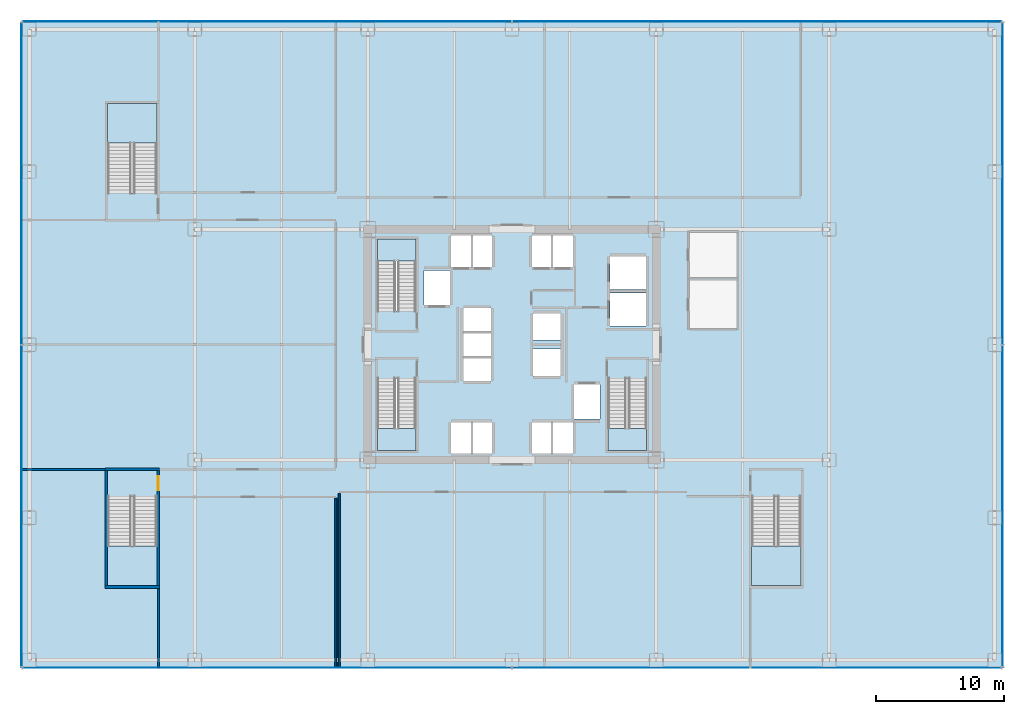
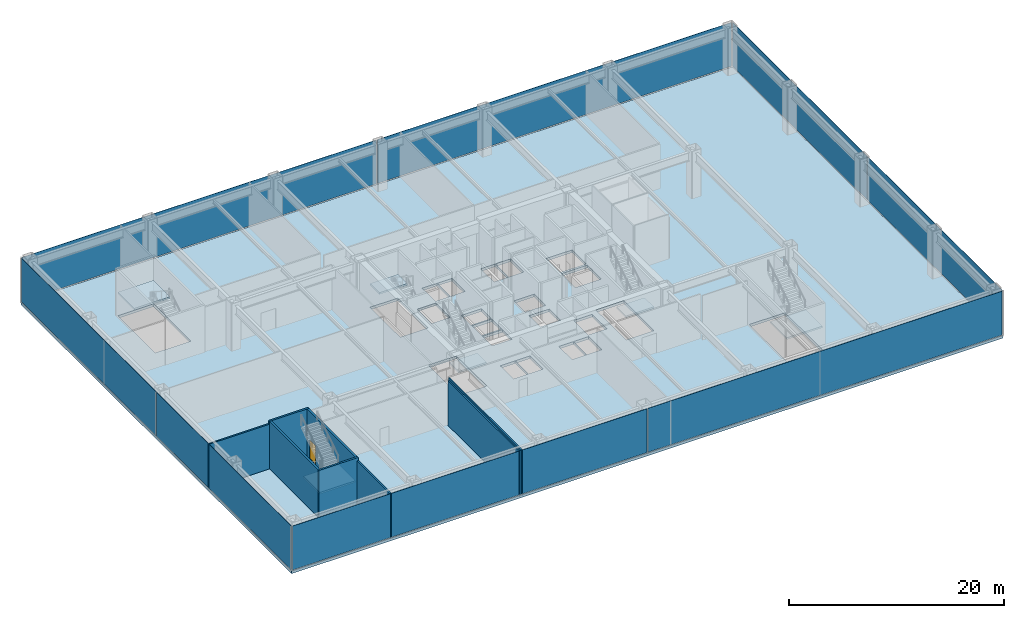
# One storey, part 16 of 24: 8 plates, 8 walls, 7 slabs, 1 door, 1 opening, 10 elements without a shape of their own.
"""IFC4 building model written with IfcOpenShell, lengths in metres."""

from ifc_helpers import new_model, si_unit, direction, frame, frame_2d, origin, origin_2d, place, context, subcontext, project, spatial, polyline, rectangle, outline, extrude, source, transform, mapped, material, layer, layer_set, type_object, element, fill, aggregate, save


model = new_model("IFC4")

# Units and contexts
model_context = context("Model", 3, precision=1e-05, world=origin(), true_north=direction((0.0, 1.0)))
body_context = subcontext(model_context, "Body", "Model", "MODEL_VIEW")
ifc_project = project(units=[si_unit("LENGTHUNIT", "METRE"), si_unit("AREAUNIT", "SQUARE_METRE"), si_unit("VOLUMEUNIT", "CUBIC_METRE"), si_unit("PLANEANGLEUNIT", "RADIAN"), si_unit("MASSUNIT", "GRAM", prefix="KILO")], contexts=[model_context])

# Site, building, storey
site_placement = place(None, origin())
site = spatial("IfcSite", under=ifc_project, at=site_placement, CompositionType="ELEMENT")
building_placement = place(site_placement, origin())
building = spatial("IfcBuilding", under=site, at=building_placement, Name="Nefas-Gora Pilgrimage Tower", CompositionType="ELEMENT")
storey_placement = place(building_placement, frame((0.0, 0.0, 16.800048828125)))
storey = spatial("IfcBuildingStorey", under=building, at=storey_placement, Name="L03", CompositionType="ELEMENT", Elevation=16.800048828125)

# Slab
ifc_material_1 = material(Name="Concrete C45/55", Category="concrete")
ifc_layer_1 = layer(ifc_material_1, 0.300048828125)
ifc_layer_set_1 = layer_set([ifc_layer_1], Name="Concrete C45/55")
slab_type_1 = type_object("IfcSlabType", Name="SLB-POD-300", PredefinedType="FLOOR", material=ifc_layer_set_1)
slab_1_placement = place(storey_placement, frame((0.0, 0.0, -0.300048828125)))
element("IfcSlab", 1, at=slab_1_placement, inside=storey, type_object=slab_type_1, Name="L03 Structural Floor Slab", PredefinedType="FLOOR", context=body_context, shape_type="SweptSolid", body=[
    extrude(outline(polyline([(38.25, -25.199951171875), (38.25, 25.199951171875), (-38.25, 25.199951171875), (-38.25, -25.199951171875), (38.25, -25.199951171875)]), holes=[polyline([(-10.5, 2.639892578125), (-10.5, 8.25), (-7.5, 8.25), (-7.5, 2.639892578125), (-10.5, 2.639892578125)]), polyline([(10.5, -2.639892578125), (10.5, -8.25), (7.5, -8.25), (7.5, -2.639892578125), (10.5, -2.639892578125)]), polyline([(-7.5, -2.639892578125), (-7.5, -8.25), (-10.5, -8.25), (-10.5, -2.639892578125), (-7.5, -2.639892578125)]), polyline([(-31.5400390625, 11.840087890625), (-31.5400390625, 18.800048828125), (-27.699951171875, 18.800048828125), (-27.699951171875, 11.840087890625), (-31.5400390625, 11.840087890625)]), polyline([(-27.699951171875, -11.840087890625), (-27.699951171875, -18.800048828125), (-31.5400390625, -18.800048828125), (-31.5400390625, -11.840087890625), (-27.699951171875, -11.840087890625)]), polyline([(22.5400390625, -11.840087890625), (22.5400390625, -18.800048828125), (18.699951171875, -18.800048828125), (18.699951171875, -11.840087890625), (22.5400390625, -11.840087890625)]), polyline([(-6.85009765625, 5.800048828125), (-4.85009765625, 5.800048828125), (-4.85009765625, 3.10009765625), (-6.85009765625, 3.10009765625), (-6.85009765625, 5.800048828125)]), polyline([(4.85009765625, -3.10009765625), (6.85009765625, -3.10009765625), (6.85009765625, -5.800048828125), (4.85009765625, -5.800048828125), (4.85009765625, -3.10009765625)]), polyline([(7.64990234375, 4.050048828125), (10.449951171875, 4.050048828125), (10.449951171875, 1.449951171875), (7.64990234375, 1.449951171875), (7.64990234375, 4.050048828125)]), polyline([(7.64990234375, 6.89990234375), (10.449951171875, 6.89990234375), (10.449951171875, 4.300048828125), (7.64990234375, 4.300048828125), (7.64990234375, 6.89990234375)]), polyline([(-4.75, 8.5), (-3.14990234375, 8.5), (-3.14990234375, 6.050048828125), (-4.75, 6.050048828125), (-4.75, 8.5)]), polyline([(-3.10009765625, 8.5), (-1.550048828125, 8.5), (-1.550048828125, 6.050048828125), (-3.10009765625, 6.050048828125), (-3.10009765625, 8.5)]), polyline([(1.550048828125, 8.5), (3.10009765625, 8.5), (3.10009765625, 6.050048828125), (1.550048828125, 6.050048828125), (1.550048828125, 8.5)]), polyline([(3.14990234375, 8.5), (4.75, 8.5), (4.75, 6.050048828125), (3.14990234375, 6.050048828125), (3.14990234375, 8.5)]), polyline([(-4.75, -6.050048828125), (-3.14990234375, -6.050048828125), (-3.14990234375, -8.5), (-4.75, -8.5), (-4.75, -6.050048828125)]), polyline([(-3.10009765625, -6.050048828125), (-1.550048828125, -6.050048828125), (-1.550048828125, -8.5), (-3.10009765625, -8.5), (-3.10009765625, -6.050048828125)]), polyline([(1.550048828125, -6.050048828125), (3.10009765625, -6.050048828125), (3.10009765625, -8.5), (1.550048828125, -8.5), (1.550048828125, -6.050048828125)]), polyline([(3.14990234375, -6.050048828125), (4.75, -6.050048828125), (4.75, -8.5), (3.14990234375, -8.5), (3.14990234375, -6.050048828125)]), polyline([(-3.800048828125, -1.050048828125), (-1.64990234375, -1.050048828125), (-1.64990234375, -2.85009765625), (-3.800048828125, -2.85009765625), (-3.800048828125, -1.050048828125)]), polyline([(-3.800048828125, 0.89990234375), (-1.64990234375, 0.89990234375), (-1.64990234375, -0.89990234375), (-3.800048828125, -0.89990234375), (-3.800048828125, 0.89990234375)]), polyline([(-3.800048828125, 2.85009765625), (-1.64990234375, 2.85009765625), (-1.64990234375, 1.050048828125), (-3.800048828125, 1.050048828125), (-3.800048828125, 2.85009765625)]), polyline([(1.64990234375, -0.35009765625), (3.800048828125, -0.35009765625), (3.800048828125, -2.449951171875), (1.64990234375, -2.449951171875), (1.64990234375, -0.35009765625)]), polyline([(1.64990234375, 2.449951171875), (3.800048828125, 2.449951171875), (3.800048828125, 0.35009765625), (1.64990234375, 0.35009765625), (1.64990234375, 2.449951171875)])]), origin(), (0.0, 0.0, 1.0), 0.300048828125),
])

# Stair, slab
stair_type_1 = type_object("IfcStairType", Name="STR-1400-R1800", PredefinedType="HALF_TURN_STAIR", material=ifc_material_1)
stair_1_placement = place(storey_placement, origin())
stair_1 = element("IfcStair", 2, at=stair_1_placement, inside=storey, type_object=stair_type_1, Name="L03 Pressurised Tower Exit Stair ST-01", PredefinedType="HALF_TURN_STAIR")
ifc_material_2 = material(Name="Concrete C40/50", Category="concrete")
ifc_layer_2 = layer(ifc_material_2, 0.199951171875)
ifc_layer_set_2 = layer_set([ifc_layer_2], Name="Concrete C40/50")
slab_type_2 = type_object("IfcSlabType", Name="STR-LAND-200", PredefinedType="LANDING", material=ifc_layer_set_2)
slab_2_placement = place(storey_placement, frame((0.0, 0.0, 2.5)))
slab_2 = element("IfcSlab", 3, at=slab_2_placement, type_object=slab_type_2, Name="ST-01 landing 1", PredefinedType="LANDING", context=body_context, shape_type="SweptSolid", body=[
    extrude(outline(polyline([(-7.5, 6.52001953125), (-7.5, 8.25), (-10.5, 8.25), (-10.5, 6.52001953125), (-7.5, 6.52001953125)])), origin(), (0.0, 0.0, 1.0), 0.199951171875),
])
aggregate(stair_1, [slab_2])

stair_2_placement = place(storey_placement, origin())
stair_2 = element("IfcStair", 4, at=stair_2_placement, inside=storey, type_object=stair_type_1, Name="L03 Pressurised Tower Exit Stair ST-02", PredefinedType="HALF_TURN_STAIR")
slab_3_placement = place(storey_placement, frame((0.0, 0.0, 2.5)))
slab_3 = element("IfcSlab", 5, at=slab_3_placement, type_object=slab_type_2, Name="ST-02 landing 1", PredefinedType="LANDING", context=body_context, shape_type="SweptSolid", body=[
    extrude(outline(polyline([(7.5, -6.52001953125), (7.5, -8.25), (10.5, -8.25), (10.5, -6.52001953125), (7.5, -6.52001953125)])), origin(), (0.0, 0.0, 1.0), 0.199951171875),
])
aggregate(stair_2, [slab_3])

stair_3_placement = place(storey_placement, origin())
stair_3 = element("IfcStair", 6, at=stair_3_placement, inside=storey, type_object=stair_type_1, Name="L03 Pressurised Tower Exit Stair ST-03", PredefinedType="HALF_TURN_STAIR")
slab_4_placement = place(storey_placement, frame((0.0, 0.0, 2.5)))
slab_4 = element("IfcSlab", 7, at=slab_4_placement, type_object=slab_type_2, Name="ST-03 landing 1", PredefinedType="LANDING", context=body_context, shape_type="SweptSolid", body=[
    extrude(outline(polyline([(-10.5, -6.52001953125), (-10.5, -8.25), (-7.5, -8.25), (-7.5, -6.52001953125), (-10.5, -6.52001953125)])), origin(), (0.0, 0.0, 1.0), 0.199951171875),
])
aggregate(stair_3, [slab_4])

stair_type_2 = type_object("IfcStairType", Name="STR-1820-R1800", PredefinedType="HALF_TURN_STAIR", material=ifc_material_1)
stair_4_placement = place(storey_placement, origin())
stair_4 = element("IfcStair", 8, at=stair_4_placement, inside=storey, type_object=stair_type_2, Name="L03 Podium Exit Stair ST-04", PredefinedType="HALF_TURN_STAIR")
slab_5_placement = place(storey_placement, frame((0.0, 0.0, 2.5)))
slab_5 = element("IfcSlab", 9, at=slab_5_placement, type_object=slab_type_2, Name="ST-04 landing 1", PredefinedType="LANDING", context=body_context, shape_type="SweptSolid", body=[
    extrude(outline(polyline([(-27.699951171875, 15.719970703125), (-27.699951171875, 18.800048828125), (-31.5400390625, 18.800048828125), (-31.5400390625, 15.719970703125), (-27.699951171875, 15.719970703125)])), origin(), (0.0, 0.0, 1.0), 0.199951171875),
])
aggregate(stair_4, [slab_5])

stair_5_placement = place(storey_placement, origin())
stair_5 = element("IfcStair", 10, at=stair_5_placement, inside=storey, type_object=stair_type_2, Name="L03 Podium Exit Stair ST-05", PredefinedType="HALF_TURN_STAIR")
slab_6_placement = place(storey_placement, frame((0.0, 0.0, 2.5)))
slab_6 = element("IfcSlab", 11, at=slab_6_placement, type_object=slab_type_2, Name="ST-05 landing 1", PredefinedType="LANDING", context=body_context, shape_type="SweptSolid", body=[
    extrude(outline(polyline([(-31.5400390625, -15.719970703125), (-31.5400390625, -18.800048828125), (-27.699951171875, -18.800048828125), (-27.699951171875, -15.719970703125), (-31.5400390625, -15.719970703125)])), origin(), (0.0, 0.0, 1.0), 0.199951171875),
])
aggregate(stair_5, [slab_6])

stair_6_placement = place(storey_placement, origin())
stair_6 = element("IfcStair", 12, at=stair_6_placement, inside=storey, type_object=stair_type_2, Name="L03 Podium Exit Stair ST-06", PredefinedType="HALF_TURN_STAIR")
slab_7_placement = place(storey_placement, frame((0.0, 0.0, 2.5)))
slab_7 = element("IfcSlab", 13, at=slab_7_placement, type_object=slab_type_2, Name="ST-06 landing 1", PredefinedType="LANDING", context=body_context, shape_type="SweptSolid", body=[
    extrude(outline(polyline([(18.699951171875, -15.719970703125), (18.699951171875, -18.800048828125), (22.5400390625, -18.800048828125), (22.5400390625, -15.719970703125), (18.699951171875, -15.719970703125)])), origin(), (0.0, 0.0, 1.0), 0.199951171875),
])
aggregate(stair_6, [slab_7])

# Curtain wall, plates
ifc_material_3 = material(Name="Dark ceramic-fritted solar-control aluminium-glass curtain wall", Category="aluminium")
ifc_layer_3 = layer(ifc_material_3, 0.219970703125)
ifc_layer_set_3 = layer_set([ifc_layer_3], Name="Dark ceramic-fritted solar-control aluminium-glass curtain wall")
curtain_wall_type = type_object("IfcCurtainWallType", Name="CW-SYS-1", PredefinedType="NOTDEFINED", material=ifc_layer_set_3)
curtain_wall_1_placement = place(storey_placement, origin())
curtain_wall_1 = element("IfcCurtainWall", 14, at=curtain_wall_1_placement, inside=storey, type_object=curtain_wall_type, Name="L03 Unitised Curtain Wall CW1", PredefinedType="NOTDEFINED")
ifc_material_4 = material(Name="Dark ceramic-printed low-e insulated glass", Category="glass")
ifc_layer_4 = layer(ifc_material_4, 0.035888671875)
ifc_layer_set_4 = layer_set([ifc_layer_4], Name="Dark ceramic-printed low-e insulated glass")
plate_type = type_object("IfcPlateType", Name="CWP-PNL-1", PredefinedType="CURTAIN_PANEL", material=ifc_layer_set_4)
shared_shape_1 = source(origin(), body_context, "Body", "SweptSolid", [
    extrude(rectangle(XDim=25.06494140625, YDim=0.035888671875, at=origin_2d()), origin(), (0.0, 0.0, 1.0), 4.989990234375),
])
plate_1_placement = place(storey_placement, frame((38.25, -12.577392578125, 0.10009765625), z_axis=(0.0, 0.0, 1.0), x_axis=(0.0, 1.0, 0.0)))
plate_1 = element("IfcPlate", 15, at=plate_1_placement, type_object=plate_type, Name="CW1 Ceramic-Fritted Glazing Panel 1", PredefinedType="CURTAIN_PANEL", context=body_context, shape_type="MappedRepresentation", body=[
    mapped(shared_shape_1, transform((0.0, 0.0, 0.0), x_axis=(1.0, 0.0, 0.0), y_axis=(0.0, 1.0, 0.0), z_axis=(0.0, 0.0, 1.0), scale=1.0)),
])
plate_2_placement = place(storey_placement, frame((38.25, 12.577392578125, 0.10009765625), z_axis=(0.0, 0.0, 1.0), x_axis=(0.0, 1.0, 0.0)))
plate_2 = element("IfcPlate", 16, at=plate_2_placement, type_object=plate_type, Name="CW1 Ceramic-Fritted Glazing Panel 2", PredefinedType="CURTAIN_PANEL", context=body_context, shape_type="MappedRepresentation", body=[
    mapped(shared_shape_1, transform((0.0, 0.0, 0.0), x_axis=(1.0, 0.0, 0.0), y_axis=(0.0, 1.0, 0.0), z_axis=(0.0, 0.0, 1.0), scale=1.0)),
])
aggregate(curtain_wall_1, [plate_1, plate_2])

curtain_wall_2_placement = place(storey_placement, origin())
curtain_wall_2 = element("IfcCurtainWall", 17, at=curtain_wall_2_placement, inside=storey, type_object=curtain_wall_type, Name="L03 Unitised Curtain Wall CW1", PredefinedType="NOTDEFINED")
plate_3_placement = place(storey_placement, frame((-38.25, 12.577392578125, 0.10009765625), z_axis=(0.0, 0.0, 1.0), x_axis=(0.0, -1.0, 0.0)))
plate_3 = element("IfcPlate", 18, at=plate_3_placement, type_object=plate_type, Name="CW1 Ceramic-Fritted Glazing Panel 1", PredefinedType="CURTAIN_PANEL", context=body_context, shape_type="MappedRepresentation", body=[
    mapped(shared_shape_1, transform((0.0, 0.0, 0.0), x_axis=(1.0, 0.0, 0.0), y_axis=(0.0, 1.0, 0.0), z_axis=(0.0, 0.0, 1.0), scale=1.0)),
])
plate_4_placement = place(storey_placement, frame((-38.25, -12.577392578125, 0.10009765625), z_axis=(0.0, 0.0, 1.0), x_axis=(0.0, -1.0, 0.0)))
plate_4 = element("IfcPlate", 19, at=plate_4_placement, type_object=plate_type, Name="CW1 Ceramic-Fritted Glazing Panel 2", PredefinedType="CURTAIN_PANEL", context=body_context, shape_type="MappedRepresentation", body=[
    mapped(shared_shape_1, transform((0.0, 0.0, 0.0), x_axis=(1.0, 0.0, 0.0), y_axis=(0.0, 1.0, 0.0), z_axis=(0.0, 0.0, 1.0), scale=1.0)),
])
aggregate(curtain_wall_2, [plate_3, plate_4])

curtain_wall_3_placement = place(storey_placement, origin())
curtain_wall_3 = element("IfcCurtainWall", 20, at=curtain_wall_3_placement, inside=storey, type_object=curtain_wall_type, Name="L03 Unitised Curtain Wall CW1", PredefinedType="NOTDEFINED")
shared_shape_2 = source(origin(), body_context, "Body", "SweptSolid", [
    extrude(rectangle(XDim=38.114990234375, YDim=0.035888671875, at=origin_2d()), origin(), (0.0, 0.0, 1.0), 4.989990234375),
])
plate_5_placement = place(storey_placement, frame((19.1025390625, 25.199951171875, 0.10009765625), z_axis=(0.0, 0.0, 1.0), x_axis=(-1.0, 0.0, 0.0)))
plate_5 = element("IfcPlate", 21, at=plate_5_placement, type_object=plate_type, Name="CW1 Ceramic-Fritted Glazing Panel 1", PredefinedType="CURTAIN_PANEL", context=body_context, shape_type="MappedRepresentation", body=[
    mapped(shared_shape_2, transform((0.0, 0.0, 0.0), x_axis=(1.0, 0.0, 0.0), y_axis=(0.0, 1.0, 0.0), z_axis=(0.0, 0.0, 1.0), scale=1.0)),
])
plate_6_placement = place(storey_placement, frame((-19.1025390625, 25.199951171875, 0.10009765625), z_axis=(0.0, 0.0, 1.0), x_axis=(-1.0, 0.0, 0.0)))
plate_6 = element("IfcPlate", 22, at=plate_6_placement, type_object=plate_type, Name="CW1 Ceramic-Fritted Glazing Panel 2", PredefinedType="CURTAIN_PANEL", context=body_context, shape_type="MappedRepresentation", body=[
    mapped(shared_shape_2, transform((0.0, 0.0, 0.0), x_axis=(1.0, 0.0, 0.0), y_axis=(0.0, 1.0, 0.0), z_axis=(0.0, 0.0, 1.0), scale=1.0)),
])
aggregate(curtain_wall_3, [plate_5, plate_6])

curtain_wall_4_placement = place(storey_placement, origin())
curtain_wall_4 = element("IfcCurtainWall", 23, at=curtain_wall_4_placement, inside=storey, type_object=curtain_wall_type, Name="L03 Unitised Curtain Wall CW1", PredefinedType="NOTDEFINED")
plate_7_placement = place(storey_placement, frame((-19.1025390625, -25.199951171875, 0.10009765625), z_axis=(0.0, 0.0, 1.0), x_axis=(1.0, 0.0, 0.0)))
plate_7 = element("IfcPlate", 24, at=plate_7_placement, type_object=plate_type, Name="CW1 Ceramic-Fritted Glazing Panel 1", PredefinedType="CURTAIN_PANEL", context=body_context, shape_type="MappedRepresentation", body=[
    mapped(shared_shape_2, transform((0.0, 0.0, 0.0), x_axis=(1.0, 0.0, 0.0), y_axis=(0.0, 1.0, 0.0), z_axis=(0.0, 0.0, 1.0), scale=1.0)),
])
plate_8_placement = place(storey_placement, frame((19.1025390625, -25.199951171875, 0.10009765625), z_axis=(0.0, 0.0, 1.0), x_axis=(1.0, 0.0, 0.0)))
plate_8 = element("IfcPlate", 25, at=plate_8_placement, type_object=plate_type, Name="CW1 Ceramic-Fritted Glazing Panel 2", PredefinedType="CURTAIN_PANEL", context=body_context, shape_type="MappedRepresentation", body=[
    mapped(shared_shape_2, transform((0.0, 0.0, 0.0), x_axis=(1.0, 0.0, 0.0), y_axis=(0.0, 1.0, 0.0), z_axis=(0.0, 0.0, 1.0), scale=1.0)),
])
aggregate(curtain_wall_4, [plate_7, plate_8])

# Walls
ifc_layer_5 = layer(ifc_material_1, 0.199951171875)
ifc_layer_set_5 = layer_set([ifc_layer_5], Name="Concrete C45/55")
wall_type_1 = type_object("IfcWallType", Name="IW-STAIR-200", PredefinedType="SOLIDWALL", material=ifc_layer_set_5)
shared_shape_3 = source(origin(), body_context, "Body", "SweptSolid", [
    extrude(rectangle(XDim=4.239990234375, YDim=0.199951171875, at=frame_2d((2.1201171875, 0.0))), origin(), (0.0, 0.0, 1.0), 5.39990234375),
])
for number, where, z_axis, x_axis, name in (
    (26, (-31.739990234375, -9.699951171875, 0.0), (0.0, 0.0, 1.0), (1.0, 0.0, 0.0), "L03 Stairwell Shear Wall ST-05-near"),
    (27, (-31.739990234375, -18.89990234375, 0.0), (0.0, 0.0, 1.0), (1.0, 0.0, 0.0), "L03 Stairwell Shear Wall ST-05-far"),
):
    element("IfcWall", number, at=place(storey_placement, frame(where, z_axis=z_axis, x_axis=x_axis)), inside=storey, type_object=wall_type_1, Name=name, PredefinedType="SOLIDWALL", context=body_context, shape_type="MappedRepresentation", body=[
        mapped(shared_shape_3, transform((0.0, 0.0, 0.0), x_axis=(1.0, 0.0, 0.0), y_axis=(0.0, 1.0, 0.0), z_axis=(0.0, 0.0, 1.0), scale=1.0)),
    ])
shared_shape_4 = source(origin(), body_context, "Body", "SweptSolid", [
    extrude(rectangle(XDim=9.0, YDim=0.199951171875, at=frame_2d((4.5, 0.0))), origin(), (0.0, 0.0, 1.0), 5.39990234375),
])
wall_1_placement = place(storey_placement, frame((-31.639892578125, -9.800048828125, 0.0), z_axis=(0.0, 0.0, 1.0), x_axis=(0.0, -1.0, 0.0)))
element("IfcWall", 28, at=wall_1_placement, inside=storey, type_object=wall_type_1, Name="L03 Stairwell Shear Wall ST-05-left", PredefinedType="SOLIDWALL", context=body_context, shape_type="MappedRepresentation", body=[
    mapped(shared_shape_4, transform((0.0, 0.0, 0.0), x_axis=(1.0, 0.0, 0.0), y_axis=(0.0, 1.0, 0.0), z_axis=(0.0, 0.0, 1.0), scale=1.0)),
])

# Wall, opening, door
wall_2_placement = place(storey_placement, frame((-27.60009765625, -9.800048828125, 0.0), z_axis=(0.0, 0.0, 1.0), x_axis=(0.0, -1.0, 0.0)))
wall_2 = element("IfcWall", 29, at=wall_2_placement, inside=storey, type_object=wall_type_1, Name="L03 Stairwell Shear Wall ST-05-right", PredefinedType="SOLIDWALL", context=body_context, shape_type="MappedRepresentation", body=[
    mapped(shared_shape_4, transform((0.0, 0.0, 0.0), x_axis=(1.0, 0.0, 0.0), y_axis=(0.0, 1.0, 0.0), z_axis=(0.0, 0.0, 1.0), scale=1.0)),
])
opening_placement = place(wall_2_placement, frame((0.449951171875, 0.0, 0.0)))
opening = element("IfcOpeningElement", 30, at=opening_placement, cuts=wall_2, Name="Opening ID-ST1", PredefinedType="OPENING", context=body_context, shape_type="SweptSolid", body=[
    extrude(rectangle(XDim=1.10009765625, YDim=2.14990234375, at=frame_2d((0.550048828125, 1.074951171875))), frame((0.0, 0.10986328125, 0.0), z_axis=(0.0, -1.0, 0.0), x_axis=(1.0, 0.0, 0.0)), (0.0, 0.0, 1.0), 0.219970703125),
])
ifc_material_5 = material(Name="Painted galvanised steel fire stair door", Category="steel")
door_type = type_object("IfcDoorType", Name="DR-INT-STAIR-1100", OperationType="NOTDEFINED", PredefinedType="DOOR", material=ifc_material_5)
shared_shape_5 = source(origin(), body_context, "Body", "SweptSolid", [
    extrude(rectangle(XDim=1.10009765625, YDim=2.14990234375, at=frame_2d((0.550048828125, 1.074951171875))), frame((0.0, 0.02490234375, 0.0), z_axis=(0.0, -1.0, 0.0), x_axis=(1.0, 0.0, 0.0)), (0.0, 0.0, 1.0), 0.050048828125),
])
door_placement = place(opening_placement, origin())
door = element("IfcDoor", 31, at=door_placement, inside=storey, type_object=door_type, Name="L03 Protected Exit Stair Door ST-05", OperationType="SINGLE_SWING_LEFT", OverallHeight=2.14990234375, OverallWidth=1.10009765625, PredefinedType="DOOR", context=body_context, shape_type="MappedRepresentation", body=[
    mapped(shared_shape_5, transform((0.0, 0.0, 0.0), x_axis=(1.0, 0.0, 0.0), y_axis=(0.0, 1.0, 0.0), z_axis=(0.0, 0.0, 1.0), scale=1.0)),
])
fill(opening, door)

# Walls
ifc_material_6 = material(Name="Gypsum twin-stud partition")
ifc_layer_6 = layer(ifc_material_6, 0.139892578125)
ifc_layer_set_6 = layer_set([ifc_layer_6], Name="Gypsum twin-stud partition")
wall_type_2 = type_object("IfcWallType", Name="IW-UNIT-140", PredefinedType="PARTITIONING", material=ifc_layer_set_6)
shared_shape_6 = source(origin(), body_context, "Body", "SweptSolid", [
    extrude(rectangle(XDim=6.179931640625, YDim=0.139892578125, at=frame_2d((3.08984375, 0.0))), origin(), (0.0, 0.0, 1.0), 5.0849609375),
])
wall_3_placement = place(storey_placement, frame((-27.580078125, -25.219970703125, 0.0), z_axis=(0.0, 0.0, 1.0), x_axis=(0.0, 1.0, 0.0)))
element("IfcWall", 32, at=wall_3_placement, inside=storey, type_object=wall_type_2, Name="L03 Dishwashing and Cold Pantry Partition Wall 42", PredefinedType="PARTITIONING", context=body_context, shape_type="MappedRepresentation", body=[
    mapped(shared_shape_6, transform((0.0, 0.0, 0.0), x_axis=(1.0, 0.0, 0.0), y_axis=(0.0, 1.0, 0.0), z_axis=(0.0, 0.0, 1.0), scale=1.0)),
])
shared_shape_7 = source(origin(), body_context, "Body", "SweptSolid", [
    extrude(rectangle(XDim=13.22998046875, YDim=0.139892578125, at=frame_2d((6.614990234375, 0.0))), origin(), (0.0, 0.0, 1.0), 5.0849609375),
])
wall_4_placement = place(storey_placement, frame((-13.75, -25.219970703125, 0.0), z_axis=(0.0, 0.0, 1.0), x_axis=(0.0, 1.0, 0.0)))
element("IfcWall", 33, at=wall_4_placement, inside=storey, type_object=wall_type_2, Name="L03 Dishwashing and Cold Pantry Partition Wall 41", PredefinedType="PARTITIONING", context=body_context, shape_type="MappedRepresentation", body=[
    mapped(shared_shape_7, transform((0.0, 0.0, 0.0), x_axis=(1.0, 0.0, 0.0), y_axis=(0.0, 1.0, 0.0), z_axis=(0.0, 0.0, 1.0), scale=1.0)),
])
shared_shape_8 = source(origin(), body_context, "Body", "SweptSolid", [
    extrude(rectangle(XDim=13.60986328125, YDim=0.139892578125, at=frame_2d((6.804931640625, 0.0))), origin(), (0.0, 0.0, 1.0), 5.0849609375),
])
wall_5_placement = place(storey_placement, frame((-13.47998046875, -25.219970703125, 0.0), z_axis=(0.0, 0.0, 1.0), x_axis=(0.0, 1.0, 0.0)))
element("IfcWall", 34, at=wall_5_placement, inside=storey, type_object=wall_type_2, Name="L03 Pilgrim Tea Tasting Lounge Partition Wall 45", PredefinedType="PARTITIONING", context=body_context, shape_type="MappedRepresentation", body=[
    mapped(shared_shape_8, transform((0.0, 0.0, 0.0), x_axis=(1.0, 0.0, 0.0), y_axis=(0.0, 1.0, 0.0), z_axis=(0.0, 0.0, 1.0), scale=1.0)),
])
ifc_material_7 = material(Name="Gypsum acoustic stud partition")
ifc_layer_7 = layer(ifc_material_7, 0.159912109375)
ifc_layer_set_7 = layer_set([ifc_layer_7], Name="Gypsum acoustic stud partition")
wall_type_3 = type_object("IfcWallType", Name="IW-CORR-160", PredefinedType="PARTITIONING", material=ifc_layer_set_7)
shared_shape_9 = source(origin(), body_context, "Body", "SweptSolid", [
    extrude(rectangle(XDim=6.52490234375, YDim=0.159912109375, at=frame_2d((3.262451171875, 0.0))), origin(), (0.0, 0.0, 1.0), 5.0849609375),
])
wall_6_placement = place(storey_placement, frame((-38.27001953125, -9.72998046875, 0.0), z_axis=(0.0, 0.0, 1.0), x_axis=(1.0, 0.0, 0.0)))
element("IfcWall", 35, at=wall_6_placement, inside=storey, type_object=wall_type_3, Name="L03 Pilgrim Refectory Dining Hall South-West Partition Wall 30", PredefinedType="PARTITIONING", context=body_context, shape_type="MappedRepresentation", body=[
    mapped(shared_shape_9, transform((0.0, 0.0, 0.0), x_axis=(1.0, 0.0, 0.0), y_axis=(0.0, 1.0, 0.0), z_axis=(0.0, 0.0, 1.0), scale=1.0)),
])

save(model, "model.ifc")
